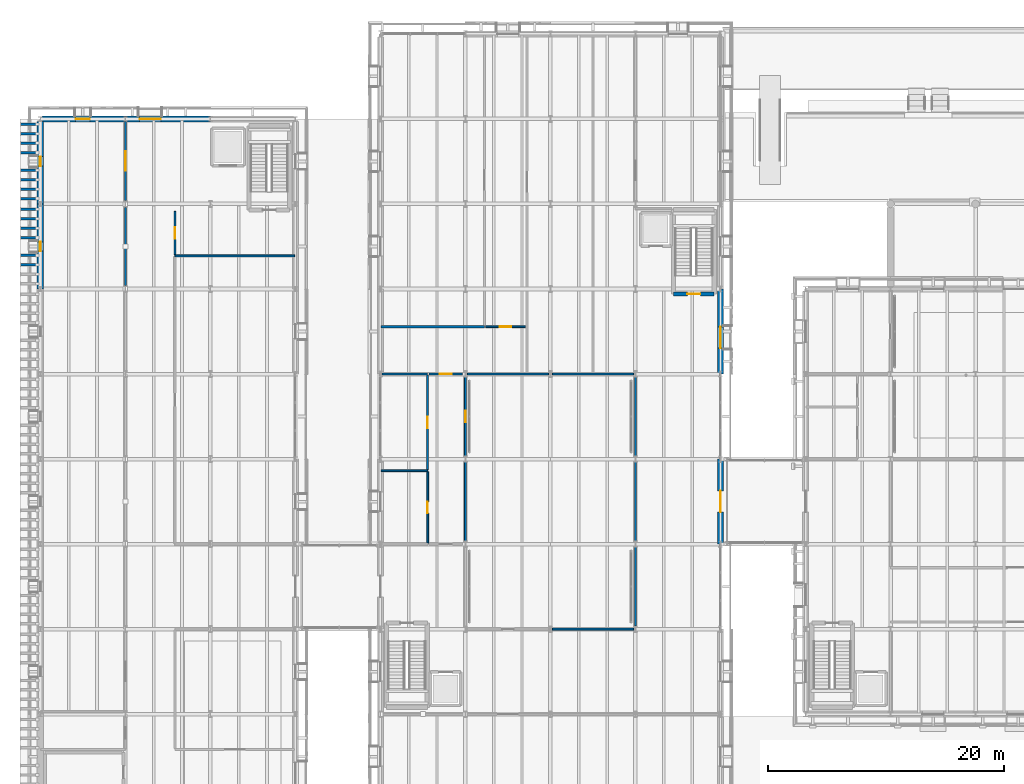
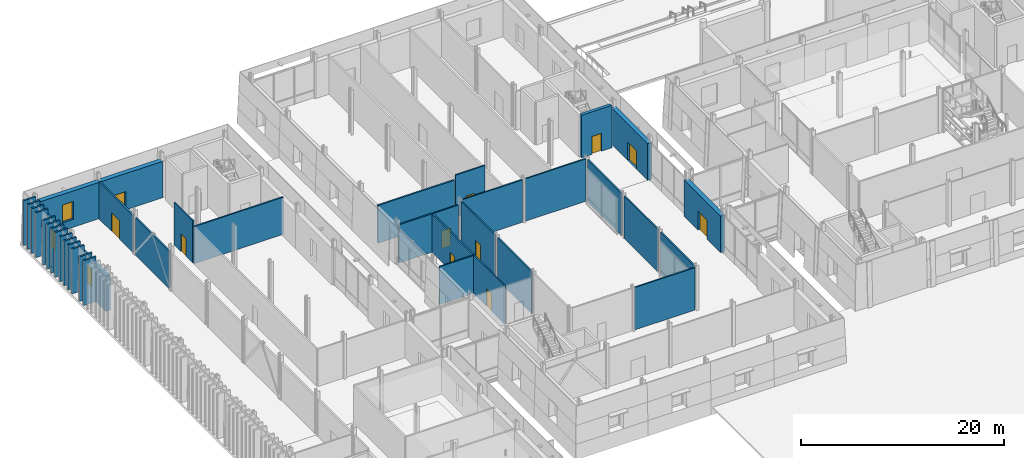
# One storey, part 74 of 120: 40 walls, 11 doors, 3 windows, 14 openings.
"""IFC4 building model written with IfcOpenShell, lengths in metres."""

from ifc_helpers import new_model, si_unit, direction, frame, frame_2d, origin, place, context, subcontext, project, spatial, rectangle, extrude, material, layer, layer_set, type_object, element, fill, save


model = new_model("IFC4")

# Units and contexts
model_context = context("Model", 3, precision=1e-05, world=origin(), true_north=direction((0.0, 1.0)))
body_context = subcontext(model_context, "Body", "Model", "MODEL_VIEW")
ifc_project = project(units=[si_unit("LENGTHUNIT", "METRE"), si_unit("AREAUNIT", "SQUARE_METRE"), si_unit("VOLUMEUNIT", "CUBIC_METRE"), si_unit("PLANEANGLEUNIT", "RADIAN"), si_unit("MASSUNIT", "GRAM", prefix="KILO")], contexts=[model_context])

# Site, building, storey
site_placement = place(None, origin())
site = spatial("IfcSite", under=ifc_project, at=site_placement, CompositionType="ELEMENT")
building_placement = place(site_placement, origin())
building = spatial("IfcBuilding", under=site, at=building_placement, Name="Narikvali Park Central Library", CompositionType="ELEMENT")
storey_placement = place(building_placement, origin())
storey = spatial("IfcBuildingStorey", under=building, at=storey_placement, Name="L00", CompositionType="ELEMENT", Elevation=0.0)

# Walls
ifc_material_1 = material(Name="Kiln-Fired Terracotta Red Brick Masonry", Category="masonry")
ifc_layer_1 = layer(ifc_material_1, 0.199951171875, Name="Kiln-Fired Terracotta Red Brick Masonry")
ifc_layer_set_1 = layer_set([ifc_layer_1], Name="Kiln-Fired Terracotta Red Brick Masonry")
wall_type_1 = type_object("IfcWallType", Name="Kiln-Fired Red Brick Vertical Fin Wall 200", PredefinedType="SOLIDWALL", material=ifc_layer_set_1)
for number, where, z_axis, x_axis, name in (
    (1, (-1.659912109375, 95.64990234375, 0.0), (0.0, 0.0, 1.0), (1.0, 0.0, 0.0), "West Stacks Red Brick Vertical Fin Pier 421"),
    (2, (-1.659912109375, 96.449951171875, 0.0), (0.0, 0.0, 1.0), (1.0, 0.0, 0.0), "West Stacks Red Brick Vertical Fin Pier 427"),
    (3, (-1.659912109375, 97.949951171875, 0.0), (0.0, 0.0, 1.0), (1.0, 0.0, 0.0), "West Stacks Red Brick Vertical Fin Pier 433"),
    (4, (-1.659912109375, 98.75, 0.0), (0.0, 0.0, 1.0), (1.0, 0.0, 0.0), "West Stacks Red Brick Vertical Fin Pier 439"),
    (5, (-1.659912109375, 99.550048828125, 0.0), (0.0, 0.0, 1.0), (1.0, 0.0, 0.0), "West Stacks Red Brick Vertical Fin Pier 445"),
    (6, (-1.659912109375, 100.35009765625, 0.0), (0.0, 0.0, 1.0), (1.0, 0.0, 0.0), "West Stacks Red Brick Vertical Fin Pier 451"),
    (7, (-1.659912109375, 101.25, 0.0), (0.0, 0.0, 1.0), (1.0, 0.0, 0.0), "West Stacks Red Brick Vertical Fin Pier 457"),
    (8, (-1.659912109375, 102.050048828125, 0.0), (0.0, 0.0, 1.0), (1.0, 0.0, 0.0), "West Stacks Red Brick Vertical Fin Pier 463"),
    (9, (-1.659912109375, 102.85009765625, 0.0), (0.0, 0.0, 1.0), (1.0, 0.0, 0.0), "West Stacks Red Brick Vertical Fin Pier 469"),
    (10, (-1.659912109375, 103.64990234375, 0.0), (0.0, 0.0, 1.0), (1.0, 0.0, 0.0), "West Stacks Red Brick Vertical Fin Pier 475"),
    (11, (-1.659912109375, 105.14990234375, 0.0), (0.0, 0.0, 1.0), (1.0, 0.0, 0.0), "West Stacks Red Brick Vertical Fin Pier 481"),
    (12, (-1.659912109375, 105.949951171875, 0.0), (0.0, 0.0, 1.0), (1.0, 0.0, 0.0), "West Stacks Red Brick Vertical Fin Pier 487"),
    (13, (-1.659912109375, 106.75, 0.0), (0.0, 0.0, 1.0), (1.0, 0.0, 0.0), "West Stacks Red Brick Vertical Fin Pier 493"),
    (14, (-1.659912109375, 107.550048828125, 0.0), (0.0, 0.0, 1.0), (1.0, 0.0, 0.0), "West Stacks Red Brick Vertical Fin Pier 499"),
):
    element("IfcWall", number, at=place(storey_placement, frame(where, z_axis=z_axis, x_axis=x_axis)), inside=storey, type_object=wall_type_1, Name=name, PredefinedType="SOLIDWALL", context=body_context, shape_type="SweptSolid", body=[
        extrude(rectangle(XDim=1.43994140625, YDim=0.199951171875, at=frame_2d((0.719970703125, 0.0))), origin(), (0.0, 0.0, 1.0), 5.39990234375),
    ])
ifc_material_2 = material(Name="Moisture-Resistant Cement Board on Steel Studs", Category="steel")
ifc_layer_2 = layer(ifc_material_2, 0.14990234375, Name="Moisture-Resistant Cement Board on Steel Studs")
ifc_layer_set_2 = layer_set([ifc_layer_2], Name="Moisture-Resistant Cement Board on Steel Studs")
wall_type_2 = type_object("IfcWallType", Name="Moisture-Resistant WC Partition 150", PredefinedType="PARTITIONING", material=ifc_layer_set_2)
wall_1_placement = place(storey_placement, frame((28.85498046875, 78.199951171875, 0.0), z_axis=(0.0, 0.0, 1.0), x_axis=(1.0, 0.0, 0.0)))
element("IfcWall", 15, at=wall_1_placement, inside=storey, type_object=wall_type_2, Name="Atrium Accessible WC and Restrooms L00 Partition N", PredefinedType="PARTITIONING", context=body_context, shape_type="SweptSolid", body=[
    extrude(rectangle(XDim=3.945068359375, YDim=0.14990234375, at=frame_2d((1.97265625, 0.0))), origin(), (0.0, 0.0, 1.0), 4.554931640625),
])

# Wall, opening, door
wall_2_placement = place(storey_placement, frame((32.800048828125, 72.076904296875, 0.0), z_axis=(0.0, 0.0, 1.0), x_axis=(0.0, 1.0, 0.0)))
wall_2 = element("IfcWall", 16, at=wall_2_placement, inside=storey, type_object=wall_type_2, Name="Atrium Accessible WC and Restrooms L00 Partition E", PredefinedType="PARTITIONING", context=body_context, shape_type="SweptSolid", body=[
    extrude(rectangle(XDim=6.046142578125, YDim=0.14990234375, at=frame_2d((3.02294921875, 0.0))), origin(), (0.0, 0.0, 1.0), 4.614990234375),
])
opening_1_placement = place(wall_2_placement, frame((2.532958984375, 0.0, 0.0)))
opening_1 = element("IfcOpeningElement", 17, at=opening_1_placement, cuts=wall_2, Name="Opening ID-0012", PredefinedType="OPENING", context=body_context, shape_type="SweptSolid", body=[
    extrude(rectangle(XDim=0.97998046875, YDim=2.10009765625, at=frame_2d((0.489990234375, 1.050048828125))), frame((0.0, 0.0869140625, 0.0), z_axis=(0.0, -1.0, 0.0), x_axis=(1.0, 0.0, 0.0)), (0.0, 0.0, 1.0), 0.173828125),
])
ifc_material_3 = material(Name="Laminate Faced Hardwood Core", Category="wood")
door_type_1 = type_object("IfcDoorType", Name="Accessible WC Outward-Opening Door 980x2100", OperationType="SINGLE_SWING_RIGHT", PredefinedType="DOOR", material=ifc_material_3)
door_1_placement = place(opening_1_placement, frame((0.97998046875, 0.0, 0.0), z_axis=(0.0, 0.0, 1.0), x_axis=(-1.0, 0.0, 0.0)))
door_1 = element("IfcDoor", 18, at=door_1_placement, inside=storey, type_object=door_type_1, Name="Atrium Accessible WC and Restrooms L00 Door ID-0012", OperationType="SINGLE_SWING_RIGHT", OverallHeight=2.10009765625, OverallWidth=0.97998046875, PredefinedType="DOOR", context=body_context, shape_type="SweptSolid", body=[
    extrude(rectangle(XDim=0.97998046875, YDim=2.10009765625, at=frame_2d((0.489990234375, 1.050048828125))), frame((0.0, 0.02490234375, 0.0), z_axis=(0.0, -1.0, 0.0), x_axis=(1.0, 0.0, 0.0)), (0.0, 0.0, 1.0), 0.050048828125),
])
fill(opening_1, door_1)

wall_3_placement = place(storey_placement, frame((11.39990234375, 96.52001953125, 0.0), z_axis=(0.0, 0.0, 1.0), x_axis=(0.0, 1.0, 0.0)))
wall_3 = element("IfcWall", 19, at=wall_3_placement, inside=storey, type_object=wall_type_2, Name="V5 North Exit Corridor Smoke Door Partition", PredefinedType="PARTITIONING", context=body_context, shape_type="SweptSolid", body=[
    extrude(rectangle(XDim=3.659912109375, YDim=0.14990234375, at=frame_2d((1.830078125, 0.0))), origin(), (0.0, 0.0, 1.0), 5.0849609375),
])
opening_2_placement = place(wall_3_placement, frame((1.330078125, 0.0, 0.0)))
opening_2 = element("IfcOpeningElement", 20, at=opening_2_placement, cuts=wall_3, Name="Opening ID-0170", PredefinedType="OPENING", context=body_context, shape_type="SweptSolid", body=[
    extrude(rectangle(XDim=1.0, YDim=2.14990234375, at=frame_2d((0.5, 1.074951171875))), frame((0.0, 0.0869140625, 0.0), z_axis=(0.0, -1.0, 0.0), x_axis=(1.0, 0.0, 0.0)), (0.0, 0.0, 1.0), 0.173828125),
])
ifc_material_4 = material(Name="Solid Caucasian Oak")
door_type_2 = type_object("IfcDoorType", Name="Study Room Single Oak Door 1000x2150", OperationType="SINGLE_SWING_LEFT", PredefinedType="DOOR", material=ifc_material_4)
door_2_placement = place(opening_2_placement, frame((1.0, 0.0, 0.0), z_axis=(0.0, 0.0, 1.0), x_axis=(-1.0, 0.0, 0.0)))
door_2 = element("IfcDoor", 21, at=door_2_placement, inside=storey, type_object=door_type_2, Name="V5 North Exit Corridor Smoke Door ID-0170", OperationType="SINGLE_SWING_LEFT", OverallHeight=2.14990234375, OverallWidth=1.0, PredefinedType="DOOR", context=body_context, shape_type="SweptSolid", body=[
    extrude(rectangle(XDim=1.0, YDim=2.14990234375, at=frame_2d((0.5, 1.074951171875))), frame((0.0, 0.02490234375, 0.0), z_axis=(0.0, -1.0, 0.0), x_axis=(1.0, 0.0, 0.0)), (0.0, 0.0, 1.0), 0.050048828125),
])
fill(opening_2, door_2)

wall_4_placement = place(storey_placement, frame((32.919921875, 86.39990234375, 0.0), z_axis=(0.0, 0.0, 1.0), x_axis=(1.0, 0.0, 0.0)))
wall_4 = element("IfcWall", 22, at=wall_4_placement, inside=storey, type_object=wall_type_2, Name="V4 Northwest Vestibule Smoke Door Partition", PredefinedType="PARTITIONING", context=body_context, shape_type="SweptSolid", body=[
    extrude(rectangle(XDim=2.830078125, YDim=0.14990234375, at=frame_2d((1.4150390625, 0.0))), origin(), (0.0, 0.0, 1.0), 4.614990234375),
])
opening_3_placement = place(wall_4_placement, frame((0.9150390625, 0.0, 0.0)))
opening_3 = element("IfcOpeningElement", 23, at=opening_3_placement, cuts=wall_4, Name="Opening ID-0172", PredefinedType="OPENING", context=body_context, shape_type="SweptSolid", body=[
    extrude(rectangle(XDim=1.0, YDim=2.14990234375, at=frame_2d((0.5, 1.074951171875))), frame((0.0, 0.0869140625, 0.0), z_axis=(0.0, -1.0, 0.0), x_axis=(1.0, 0.0, 0.0)), (0.0, 0.0, 1.0), 0.173828125),
])
door_3_placement = place(opening_3_placement, frame((1.0, 0.0, 0.0), z_axis=(0.0, 0.0, 1.0), x_axis=(-1.0, 0.0, 0.0)))
door_3 = element("IfcDoor", 24, at=door_3_placement, inside=storey, type_object=door_type_2, Name="V4 Northwest Vestibule Smoke Door ID-0172", OperationType="SINGLE_SWING_LEFT", OverallHeight=2.14990234375, OverallWidth=1.0, PredefinedType="DOOR", context=body_context, shape_type="SweptSolid", body=[
    extrude(rectangle(XDim=1.0, YDim=2.14990234375, at=frame_2d((0.5, 1.074951171875))), frame((0.0, 0.02490234375, 0.0), z_axis=(0.0, -1.0, 0.0), x_axis=(1.0, 0.0, 0.0)), (0.0, 0.0, 1.0), 0.050048828125),
])
fill(opening_3, door_3)

wall_5_placement = place(storey_placement, frame((37.719970703125, 90.39990234375, 0.0), z_axis=(0.0, 0.0, 1.0), x_axis=(1.0, 0.0, 0.0)))
wall_5 = element("IfcWall", 25, at=wall_5_placement, inside=storey, type_object=wall_type_2, Name="V4 North Exit Passage Smoke Door Partition", PredefinedType="PARTITIONING", context=body_context, shape_type="SweptSolid", body=[
    extrude(rectangle(XDim=3.360107421875, YDim=0.14990234375, at=frame_2d((1.68017578125, 0.0))), origin(), (0.0, 0.0, 1.0), 5.10498046875),
])
opening_4_placement = place(wall_5_placement, frame((1.179931640625, 0.0, 0.0)))
opening_4 = element("IfcOpeningElement", 26, at=opening_4_placement, cuts=wall_5, Name="Opening ID-0173", PredefinedType="OPENING", context=body_context, shape_type="SweptSolid", body=[
    extrude(rectangle(XDim=1.0, YDim=2.14990234375, at=frame_2d((0.5, 1.074951171875))), frame((0.0, 0.0869140625, 0.0), z_axis=(0.0, -1.0, 0.0), x_axis=(1.0, 0.0, 0.0)), (0.0, 0.0, 1.0), 0.173828125),
])
door_4_placement = place(opening_4_placement, frame((1.0, 0.0, 0.0), z_axis=(0.0, 0.0, 1.0), x_axis=(-1.0, 0.0, 0.0)))
door_4 = element("IfcDoor", 27, at=door_4_placement, inside=storey, type_object=door_type_2, Name="V4 North Exit Passage Smoke Door ID-0173", OperationType="SINGLE_SWING_LEFT", OverallHeight=2.14990234375, OverallWidth=1.0, PredefinedType="DOOR", context=body_context, shape_type="SweptSolid", body=[
    extrude(rectangle(XDim=1.0, YDim=2.14990234375, at=frame_2d((0.5, 1.074951171875))), frame((0.0, 0.02490234375, 0.0), z_axis=(0.0, -1.0, 0.0), x_axis=(1.0, 0.0, 0.0)), (0.0, 0.0, 1.0), 0.050048828125),
])
fill(opening_4, door_4)

# Walls
ifc_material_5 = material(Name="Acoustic Gypsum on Steel Studs", Category="steel")
ifc_layer_3 = layer(ifc_material_5, 0.179931640625, Name="Acoustic Gypsum on Steel Studs")
ifc_layer_set_3 = layer_set([ifc_layer_3], Name="Acoustic Gypsum on Steel Studs")
wall_type_3 = type_object("IfcWallType", Name="Reading Room Acoustic Partition 180", PredefinedType="PARTITIONING", material=ifc_layer_set_3)
wall_6_placement = place(storey_placement, frame((28.85498046875, 90.39990234375, 0.0), z_axis=(0.0, 0.0, 1.0), x_axis=(1.0, 0.0, 0.0)))
element("IfcWall", 28, at=wall_6_placement, inside=storey, type_object=wall_type_3, Name="Social Sciences West Open Stacks Partition S", PredefinedType="PARTITIONING", context=body_context, shape_type="SweptSolid", body=[
    extrude(rectangle(XDim=8.7451171875, YDim=0.179931640625, at=frame_2d((4.37255859375, 0.0))), origin(), (0.0, 0.0, 1.0), 4.554931640625),
])
wall_7_placement = place(storey_placement, frame((28.9541015625, 86.39990234375, 0.0), z_axis=(0.0, 0.0, 1.0), x_axis=(1.0, 0.0, 0.0)))
element("IfcWall", 29, at=wall_7_placement, inside=storey, type_object=wall_type_3, Name="Librarians Reference Office Partition N", PredefinedType="PARTITIONING", context=body_context, shape_type="SweptSolid", body=[
    extrude(rectangle(XDim=3.845947265625, YDim=0.179931640625, at=frame_2d((1.9228515625, 0.0))), origin(), (0.0, 0.0, 1.0), 4.614990234375),
])

# Wall, opening, door
wall_8_placement = place(storey_placement, frame((32.800048828125, 78.277099609375, 0.0), z_axis=(0.0, 0.0, 1.0), x_axis=(0.0, 1.0, 0.0)))
wall_8 = element("IfcWall", 30, at=wall_8_placement, inside=storey, type_object=wall_type_3, Name="Librarians Reference Office Partition E", PredefinedType="PARTITIONING", context=body_context, shape_type="SweptSolid", body=[
    extrude(rectangle(XDim=8.031005859375, YDim=0.179931640625, at=frame_2d((4.015625, 0.0))), origin(), (0.0, 0.0, 1.0), 4.614990234375),
])
opening_5_placement = place(wall_8_placement, frame((3.54052734375, 0.0, 0.0)))
opening_5 = element("IfcOpeningElement", 31, at=opening_5_placement, cuts=wall_8, Name="Opening ID-0088", PredefinedType="OPENING", context=body_context, shape_type="SweptSolid", body=[
    extrude(rectangle(XDim=0.949951171875, YDim=2.14990234375, at=frame_2d((0.47509765625, 1.074951171875))), frame((0.0, 0.10205078125, 0.0), z_axis=(0.0, -1.0, 0.0), x_axis=(1.0, 0.0, 0.0)), (0.0, 0.0, 1.0), 0.203857421875),
])
door_type_3 = type_object("IfcDoorType", Name="Staff Cataloguing Office Door 950x2150", OperationType="SINGLE_SWING_LEFT", PredefinedType="DOOR", material=ifc_material_4)
door_5_placement = place(opening_5_placement, origin())
door_5 = element("IfcDoor", 32, at=door_5_placement, inside=storey, type_object=door_type_3, Name="Librarians Reference Office Door ID-0088", OperationType="SINGLE_SWING_RIGHT", OverallHeight=2.14990234375, OverallWidth=0.949951171875, PredefinedType="DOOR", context=body_context, shape_type="SweptSolid", body=[
    extrude(rectangle(XDim=0.949951171875, YDim=2.14990234375, at=frame_2d((0.47509765625, 1.074951171875))), frame((0.0, 0.02490234375, 0.0), z_axis=(0.0, -1.0, 0.0), x_axis=(1.0, 0.0, 0.0)), (0.0, 0.0, 1.0), 0.050048828125),
])
fill(opening_5, door_5)

# Wall
wall_9_placement = place(storey_placement, frame((7.199951171875, 93.889892578125, 0.0), z_axis=(0.0, 0.0, 1.0), x_axis=(0.0, 1.0, 0.0)))
element("IfcWall", 33, at=wall_9_placement, inside=storey, type_object=wall_type_3, Name="Caucasus History Open Stacks L00 Partition E", PredefinedType="PARTITIONING", context=body_context, shape_type="SweptSolid", body=[
    extrude(rectangle(XDim=6.6201171875, YDim=0.179931640625, at=frame_2d((3.31005859375, 0.0))), origin(), (0.0, 0.0, 1.0), 4.4951171875),
])

# Wall, opening, door
wall_10_placement = place(storey_placement, frame((7.199951171875, 101.090087890625, 0.0), z_axis=(0.0, 0.0, 1.0), x_axis=(0.0, 1.0, 0.0)))
wall_10 = element("IfcWall", 34, at=wall_10_placement, inside=storey, type_object=wall_type_3, Name="Caucasus History Open Stacks L00 Partition E", PredefinedType="PARTITIONING", context=body_context, shape_type="SweptSolid", body=[
    extrude(rectangle(XDim=6.70849609375, YDim=0.179931640625, at=frame_2d((3.354248046875, 0.0))), origin(), (0.0, 0.0, 1.0), 4.4951171875),
])
opening_6_placement = place(wall_10_placement, frame((2.529296875, 0.0, 0.0)))
opening_6 = element("IfcOpeningElement", 35, at=opening_6_placement, cuts=wall_10, Name="Opening ID-0115", PredefinedType="OPENING", context=body_context, shape_type="SweptSolid", body=[
    extrude(rectangle(XDim=1.64990234375, YDim=2.25, at=frame_2d((0.824951171875, 1.125))), frame((0.0, 0.10205078125, 0.0), z_axis=(0.0, -1.0, 0.0), x_axis=(1.0, 0.0, 0.0)), (0.0, 0.0, 1.0), 0.203857421875),
])
ifc_material_6 = material(Name="Caucasian Oak and Tempered Glass", Category="glass")
door_type_4 = type_object("IfcDoorType", Name="Open Stacks Double Glazed Door 1650x2250", OperationType="DOUBLE_DOOR_SINGLE_SWING", PredefinedType="DOOR", material=ifc_material_6)
door_6_placement = place(opening_6_placement, origin())
door_6 = element("IfcDoor", 36, at=door_6_placement, inside=storey, type_object=door_type_4, Name="Caucasus History Open Stacks L00 Door ID-0115", OperationType="DOUBLE_DOOR_SINGLE_SWING", OverallHeight=2.25, OverallWidth=1.64990234375, PredefinedType="DOOR", context=body_context, shape_type="SweptSolid", body=[
    extrude(rectangle(XDim=1.64990234375, YDim=2.25, at=frame_2d((0.824951171875, 1.125))), frame((0.0, 0.02490234375, 0.0), z_axis=(0.0, -1.0, 0.0), x_axis=(1.0, 0.0, 0.0)), (0.0, 0.0, 1.0), 0.050048828125),
])
fill(opening_6, door_6)

ifc_material_7 = material(Name="Concrete C40/50", Category="concrete")
ifc_layer_4 = layer(ifc_material_7, 0.35009765625, Name="Concrete C40/50")
ifc_layer_set_4 = layer_set([ifc_layer_4], Name="Concrete C40/50")
wall_type_4 = type_object("IfcWallType", Name="Reinforced Concrete Core Shear Wall 350", PredefinedType="SHEAR", material=ifc_layer_set_4)
wall_11_placement = place(storey_placement, frame((53.6298828125, 93.179931640625, 0.0), z_axis=(0.0, 0.0, 1.0), x_axis=(1.0, 0.0, 0.0)))
wall_11 = element("IfcWall", 37, at=wall_11_placement, inside=storey, type_object=wall_type_4, Name="C4B L00 Stair Core Shear Wall S", PredefinedType="SHEAR", context=body_context, shape_type="SweptSolid", body=[
    extrude(rectangle(XDim=3.440185546875, YDim=0.35009765625, at=frame_2d((1.72021484375, 0.0))), origin(), (0.0, 0.0, 1.0), 5.1201171875),
])
opening_7_placement = place(wall_11_placement, frame((1.169921875, 0.0, 0.0)))
opening_7 = element("IfcOpeningElement", 38, at=opening_7_placement, cuts=wall_11, Name="Opening SD-031", PredefinedType="OPENING", context=body_context, shape_type="SweptSolid", body=[
    extrude(rectangle(XDim=1.10009765625, YDim=2.14990234375, at=frame_2d((0.550048828125, 1.074951171875))), frame((0.0, 0.18701171875, 0.0), z_axis=(0.0, -1.0, 0.0), x_axis=(1.0, 0.0, 0.0)), (0.0, 0.0, 1.0), 0.3740234375),
])
ifc_material_8 = material(Name="Powder-Coated Steel S275 Fire Leaf", Category="steel")
door_type_5 = type_object("IfcDoorType", Name="Stair Core Smoke-Control Fire Door 1100x2150", OperationType="SINGLE_SWING_LEFT", PredefinedType="DOOR", material=ifc_material_8)
door_7_placement = place(opening_7_placement, frame((1.10009765625, 0.0, 0.0), z_axis=(0.0, 0.0, 1.0), x_axis=(-1.0, 0.0, 0.0)))
door_7 = element("IfcDoor", 39, at=door_7_placement, inside=storey, type_object=door_type_5, Name="ST-08 L00 Stair Exit Door SD-031", OperationType="SINGLE_SWING_LEFT", OverallHeight=2.14990234375, OverallWidth=1.10009765625, PredefinedType="DOOR", context=body_context, shape_type="SweptSolid", body=[
    extrude(rectangle(XDim=1.10009765625, YDim=2.14990234375, at=frame_2d((0.550048828125, 1.074951171875))), frame((0.0, 0.02490234375, 0.0), z_axis=(0.0, -1.0, 0.0), x_axis=(1.0, 0.0, 0.0)), (0.0, 0.0, 1.0), 0.050048828125),
])
fill(opening_7, door_7)

# Walls
ifc_material_9 = material(Name="Gypsum Board on Galvanised Steel Studs", Category="steel")
ifc_layer_5 = layer(ifc_material_9, 0.159912109375, Name="Gypsum Board on Galvanised Steel Studs")
ifc_layer_set_5 = layer_set([ifc_layer_5], Name="Gypsum Board on Galvanised Steel Studs")
wall_type_5 = type_object("IfcWallType", Name="Study Room Partition Wall 160", PredefinedType="PARTITIONING", material=ifc_layer_set_5)
for number, where, z_axis, x_axis, name in (
    (40, (43.35693359375, 64.800048828125, 0.0), (0.0, 0.0, 1.0), (1.0, 0.0, 0.0), "Central Reading Atrium Partition S"),
    (41, (36.156982421875, 86.39990234375, 0.0), (0.0, 0.0, 1.0), (1.0, 0.0, 0.0), "Central Reading Atrium Partition N"),
    (42, (43.35693359375, 86.39990234375, 0.0), (0.0, 0.0, 1.0), (1.0, 0.0, 0.0), "Central Reading Atrium Partition N"),
):
    element("IfcWall", number, at=place(storey_placement, frame(where, z_axis=z_axis, x_axis=x_axis)), inside=storey, type_object=wall_type_5, Name=name, PredefinedType="PARTITIONING", context=body_context, shape_type="SweptSolid", body=[
        extrude(rectangle(XDim=6.885986328125, YDim=0.159912109375, at=frame_2d((3.44287109375, 0.0))), origin(), (0.0, 0.0, 1.0), 5.10498046875),
    ])
wall_12_placement = place(storey_placement, frame((11.39990234375, 96.39990234375, 0.0), z_axis=(0.0, 0.0, 1.0), x_axis=(1.0, 0.0, 0.0)))
element("IfcWall", 43, at=wall_12_placement, inside=storey, type_object=wall_type_5, Name="Quiet Study Carrels L00 Partition N", PredefinedType="PARTITIONING", context=body_context, shape_type="SweptSolid", body=[
    extrude(rectangle(XDim=10.14501953125, YDim=0.159912109375, at=frame_2d((5.072509765625, 0.0))), origin(), (0.0, 0.0, 1.0), 4.485107421875),
])
wall_13_placement = place(storey_placement, frame((36.0, 72.26611328125, 0.0), z_axis=(0.0, 0.0, 1.0), x_axis=(0.0, 1.0, 0.0)))
element("IfcWall", 44, at=wall_13_placement, inside=storey, type_object=wall_type_5, Name="Central Reading Atrium Partition W", PredefinedType="PARTITIONING", context=body_context, shape_type="SweptSolid", body=[
    extrude(rectangle(XDim=6.66796875, YDim=0.159912109375, at=frame_2d((3.333984375, 0.0))), origin(), (0.0, 0.0, 1.0), 5.10498046875),
])

# Wall, opening, door
wall_14_placement = place(storey_placement, frame((36.0, 79.466064453125, 0.0), z_axis=(0.0, 0.0, 1.0), x_axis=(0.0, 1.0, 0.0)))
wall_14 = element("IfcWall", 45, at=wall_14_placement, inside=storey, type_object=wall_type_5, Name="Central Reading Atrium Partition W", PredefinedType="PARTITIONING", context=body_context, shape_type="SweptSolid", body=[
    extrude(rectangle(XDim=6.66796875, YDim=0.159912109375, at=frame_2d((3.333984375, 0.0))), origin(), (0.0, 0.0, 1.0), 5.10498046875),
])
opening_8_placement = place(wall_14_placement, frame((2.833984375, 0.0, 0.0)))
opening_8 = element("IfcOpeningElement", 46, at=opening_8_placement, cuts=wall_14, Name="Opening ID-0083", PredefinedType="OPENING", context=body_context, shape_type="SweptSolid", body=[
    extrude(rectangle(XDim=1.0, YDim=2.14990234375, at=frame_2d((0.5, 1.074951171875))), frame((0.0, 0.091796875, 0.0), z_axis=(0.0, -1.0, 0.0), x_axis=(1.0, 0.0, 0.0)), (0.0, 0.0, 1.0), 0.183837890625),
])
door_8_placement = place(opening_8_placement, frame((1.0, 0.0, 0.0), z_axis=(0.0, 0.0, 1.0), x_axis=(-1.0, 0.0, 0.0)))
door_8 = element("IfcDoor", 47, at=door_8_placement, inside=storey, type_object=door_type_2, Name="Central Reading Atrium Door ID-0083", OperationType="SINGLE_SWING_LEFT", OverallHeight=2.14990234375, OverallWidth=1.0, PredefinedType="DOOR", context=body_context, shape_type="SweptSolid", body=[
    extrude(rectangle(XDim=1.0, YDim=2.14990234375, at=frame_2d((0.5, 1.074951171875))), frame((0.0, 0.02490234375, 0.0), z_axis=(0.0, -1.0, 0.0), x_axis=(1.0, 0.0, 0.0)), (0.0, 0.0, 1.0), 0.050048828125),
])
fill(opening_8, door_8)

# Walls
for number, where, z_axis, x_axis, name in (
    (48, (50.39990234375, 65.06591796875, 0.0), (0.0, 0.0, 1.0), (0.0, 1.0, 0.0), "Central Reading Atrium Partition E"),
    (49, (50.39990234375, 72.26611328125, 0.0), (0.0, 0.0, 1.0), (0.0, 1.0, 0.0), "Central Reading Atrium Partition E"),
    (50, (50.39990234375, 79.466064453125, 0.0), (0.0, 0.0, 1.0), (0.0, 1.0, 0.0), "Central Reading Atrium Partition E"),
):
    element("IfcWall", number, at=place(storey_placement, frame(where, z_axis=z_axis, x_axis=x_axis)), inside=storey, type_object=wall_type_5, Name=name, PredefinedType="PARTITIONING", context=body_context, shape_type="SweptSolid", body=[
        extrude(rectangle(XDim=6.66796875, YDim=0.159912109375, at=frame_2d((3.333984375, 0.0))), origin(), (0.0, 0.0, 1.0), 5.10498046875),
    ])

# Wall, opening, door
ifc_material_10 = material(Name="White Rusticated Limestone over Concrete C35/45", Category="masonry")
ifc_layer_6 = layer(ifc_material_10, 0.52001953125, Name="White Rusticated Limestone over Concrete C35/45")
ifc_layer_set_6 = layer_set([ifc_layer_6], Name="White Rusticated Limestone over Concrete C35/45")
wall_type_6 = type_object("IfcWallType", Name="White Limestone Ashlar Plinth Wall 520", PredefinedType="SOLIDWALL", material=ifc_layer_set_6)
wall_15_placement = place(storey_placement, frame((57.60009765625, 72.0, 0.0), z_axis=(0.0, 0.0, 1.0), x_axis=(0.0, 1.0, 0.0)))
wall_15 = element("IfcWall", 51, at=wall_15_placement, inside=storey, type_object=wall_type_6, Name="V4 L00 E Exterior Limestone Wall B04", PredefinedType="SOLIDWALL", context=body_context, shape_type="SweptSolid", body=[
    extrude(rectangle(XDim=7.199951171875, YDim=0.52001953125, at=frame_2d((3.60009765625, 0.0))), origin(), (0.0, 0.0, 1.0), 4.39990234375),
])
opening_9_placement = place(wall_15_placement, frame((2.699951171875, 0.0, 0.0)))
opening_9 = element("IfcOpeningElement", 52, at=opening_9_placement, cuts=wall_15, Name="Opening BD-028", PredefinedType="OPENING", context=body_context, shape_type="SweptSolid", body=[
    extrude(rectangle(XDim=1.800048828125, YDim=2.300048828125, at=frame_2d((0.89990234375, 1.14990234375))), frame((0.0, 0.27197265625, 0.0), z_axis=(0.0, -1.0, 0.0), x_axis=(1.0, 0.0, 0.0)), (0.0, 0.0, 1.0), 0.5439453125),
])
ifc_material_11 = material(Name="Fire-Rated Glazing in Steel S275 Frame", Category="steel")
door_type_6 = type_object("IfcDoorType", Name="Glazed Double Corridor Bridge Fire Door 1800x2300", OperationType="DOUBLE_DOOR_SINGLE_SWING", PredefinedType="DOOR", material=ifc_material_11)
door_9_placement = place(opening_9_placement, frame((1.800048828125, 0.0, 0.0), z_axis=(0.0, 0.0, 1.0), x_axis=(-1.0, 0.0, 0.0)))
door_9 = element("IfcDoor", 53, at=door_9_placement, inside=storey, type_object=door_type_6, Name="V4 L00 Covered Bridge Fire Door BD-028", OperationType="DOUBLE_DOOR_SINGLE_SWING", OverallHeight=2.300048828125, OverallWidth=1.800048828125, PredefinedType="DOOR", context=body_context, shape_type="SweptSolid", body=[
    extrude(rectangle(XDim=1.800048828125, YDim=2.300048828125, at=frame_2d((0.89990234375, 1.14990234375))), frame((0.0, 0.02490234375, 0.0), z_axis=(0.0, -1.0, 0.0), x_axis=(1.0, 0.0, 0.0)), (0.0, 0.0, 1.0), 0.050048828125),
])
fill(opening_9, door_9)

wall_16_placement = place(storey_placement, frame((57.60009765625, 86.39990234375, 0.0), z_axis=(0.0, 0.0, 1.0), x_axis=(0.0, 1.0, 0.0)))
wall_16 = element("IfcWall", 54, at=wall_16_placement, inside=storey, type_object=wall_type_6, Name="V4 L00 E Exterior Limestone Wall B06", PredefinedType="SOLIDWALL", context=body_context, shape_type="SweptSolid", body=[
    extrude(rectangle(XDim=7.2001953125, YDim=0.52001953125, at=frame_2d((3.60009765625, 0.0))), origin(), (0.0, 0.0, 1.0), 4.39990234375),
])
opening_10_placement = place(wall_16_placement, frame((2.199951171875, 0.0, 0.0)))
opening_10 = element("IfcOpeningElement", 55, at=opening_10_placement, cuts=wall_16, Name="Opening ED-029", PredefinedType="OPENING", context=body_context, shape_type="SweptSolid", body=[
    extrude(rectangle(XDim=1.800048828125, YDim=2.199951171875, at=frame_2d((0.89990234375, 1.10009765625))), frame((0.0, 0.27197265625, 0.0), z_axis=(0.0, -1.0, 0.0), x_axis=(1.0, 0.0, 0.0)), (0.0, 0.0, 1.0), 0.5439453125),
])
ifc_material_12 = material(Name="Powder-Coated Galvanised Steel S275", Category="steel")
door_type_7 = type_object("IfcDoorType", Name="Exterior Final Exit Double Fire Door 1800x2200", OperationType="DOUBLE_DOOR_SINGLE_SWING", PredefinedType="DOOR", material=ifc_material_12)
door_10_placement = place(opening_10_placement, frame((1.800048828125, 0.0, 0.0), z_axis=(0.0, 0.0, 1.0), x_axis=(-1.0, 0.0, 0.0)))
door_10 = element("IfcDoor", 56, at=door_10_placement, inside=storey, type_object=door_type_7, Name="V4 Ground Final Exit Discharge Door ED-029", OperationType="DOUBLE_DOOR_SINGLE_SWING", OverallHeight=2.199951171875, OverallWidth=1.800048828125, PredefinedType="DOOR", context=body_context, shape_type="SweptSolid", body=[
    extrude(rectangle(XDim=1.800048828125, YDim=2.199951171875, at=frame_2d((0.89990234375, 1.10009765625))), frame((0.0, 0.02490234375, 0.0), z_axis=(0.0, -1.0, 0.0), x_axis=(1.0, 0.0, 0.0)), (0.0, 0.0, 1.0), 0.050048828125),
])
fill(opening_10, door_10)

wall_17_placement = place(storey_placement, frame((14.39990234375, 108.0, 0.0), z_axis=(0.0, 0.0, 1.0), x_axis=(-1.0, 0.0, 0.0)))
wall_17 = element("IfcWall", 57, at=wall_17_placement, inside=storey, type_object=wall_type_6, Name="V5 L00 N Exterior Limestone Wall B02", PredefinedType="SOLIDWALL", context=body_context, shape_type="SweptSolid", body=[
    extrude(rectangle(XDim=7.199951171875, YDim=0.52001953125, at=frame_2d((3.60009765625, 0.0))), origin(), (0.0, 0.0, 1.0), 4.3798828125),
])
opening_11_placement = place(wall_17_placement, frame((4.199951171875, 0.0, 0.0)))
opening_11 = element("IfcOpeningElement", 58, at=opening_11_placement, cuts=wall_17, Name="Opening ED-041", PredefinedType="OPENING", context=body_context, shape_type="SweptSolid", body=[
    extrude(rectangle(XDim=1.800048828125, YDim=2.199951171875, at=frame_2d((0.89990234375, 1.10009765625))), frame((0.0, 0.27197265625, 0.0), z_axis=(0.0, -1.0, 0.0), x_axis=(1.0, 0.0, 0.0)), (0.0, 0.0, 1.0), 0.5439453125),
])
door_11_placement = place(opening_11_placement, frame((1.800048828125, 0.0, 0.0), z_axis=(0.0, 0.0, 1.0), x_axis=(-1.0, 0.0, 0.0)))
door_11 = element("IfcDoor", 59, at=door_11_placement, inside=storey, type_object=door_type_7, Name="V5 Ground Final Exit Discharge Door ED-041", OperationType="DOUBLE_DOOR_SINGLE_SWING", OverallHeight=2.199951171875, OverallWidth=1.800048828125, PredefinedType="DOOR", context=body_context, shape_type="SweptSolid", body=[
    extrude(rectangle(XDim=1.800048828125, YDim=2.199951171875, at=frame_2d((0.89990234375, 1.10009765625))), frame((0.0, 0.02490234375, 0.0), z_axis=(0.0, -1.0, 0.0), x_axis=(1.0, 0.0, 0.0)), (0.0, 0.0, 1.0), 0.050048828125),
])
fill(opening_11, door_11)

# Wall, opening, window
wall_18_placement = place(storey_placement, frame((7.199951171875, 108.0, 0.0), z_axis=(0.0, 0.0, 1.0), x_axis=(-1.0, 0.0, 0.0)))
wall_18 = element("IfcWall", 60, at=wall_18_placement, inside=storey, type_object=wall_type_6, Name="V5 L00 N Exterior Limestone Wall B03", PredefinedType="SOLIDWALL", context=body_context, shape_type="SweptSolid", body=[
    extrude(rectangle(XDim=7.0419921875, YDim=0.52001953125, at=frame_2d((3.52099609375, 0.0))), origin(), (0.0, 0.0, 1.0), 4.3798828125),
])
opening_12_placement = place(wall_18_placement, frame((3.0, 0.0, 0.949951171875)))
opening_12 = element("IfcOpeningElement", 61, at=opening_12_placement, cuts=wall_18, Name="Opening WIN-0231", PredefinedType="OPENING", context=body_context, shape_type="SweptSolid", body=[
    extrude(rectangle(XDim=1.199951171875, YDim=2.14990234375, at=frame_2d((0.60009765625, 1.074951171875))), frame((0.0, 0.27197265625, 0.0), z_axis=(0.0, -1.0, 0.0), x_axis=(1.0, 0.0, 0.0)), (0.0, 0.0, 1.0), 0.5439453125),
])
ifc_material_13 = material(Name="Anodised Bronze Aluminium and Low-E Triple Glazing", Category="aluminium")
window_type_1 = type_object("IfcWindowType", Name="Stacks Archive Deep-Reveal Punched Window 1200x2150", PartitioningType="SINGLE_PANEL", PredefinedType="WINDOW", material=ifc_material_13)
window_1_placement = place(opening_12_placement, origin())
window_1 = element("IfcWindow", 62, at=window_1_placement, inside=storey, type_object=window_type_1, Name="V5 L00 N Deep-Reveal Window WIN-0231", OverallHeight=2.14990234375, OverallWidth=1.199951171875, PartitioningType="SINGLE_PANEL", PredefinedType="WINDOW", context=body_context, shape_type="SweptSolid", body=[
    extrude(rectangle(XDim=1.199951171875, YDim=2.14990234375, at=frame_2d((0.60009765625, 1.074951171875))), frame((0.0, 0.030029296875, 0.0), z_axis=(0.0, -1.0, 0.0), x_axis=(1.0, 0.0, 0.0)), (0.0, 0.0, 1.0), 0.06005859375),
])
fill(opening_12, window_1)

wall_19_placement = place(storey_placement, frame((0.0, 107.798583984375, 0.0), z_axis=(0.0, 0.0, 1.0), x_axis=(0.0, -1.0, 0.0)))
wall_19 = element("IfcWall", 63, at=wall_19_placement, inside=storey, type_object=wall_type_6, Name="V5 L00 W Exterior Limestone Wall B01", PredefinedType="SOLIDWALL", context=body_context, shape_type="SweptSolid", body=[
    extrude(rectangle(XDim=6.99853515625, YDim=0.52001953125, at=frame_2d((3.499267578125, 0.0))), origin(), (0.0, 0.0, 1.0), 4.219970703125),
])
opening_13_placement = place(wall_19_placement, frame((2.99853515625, 0.0, 0.949951171875)))
opening_13 = element("IfcOpeningElement", 64, at=opening_13_placement, cuts=wall_19, Name="Opening WIN-0232", PredefinedType="OPENING", context=body_context, shape_type="SweptSolid", body=[
    extrude(rectangle(XDim=0.800048828125, YDim=2.14990234375, at=frame_2d((0.39990234375, 1.074951171875))), frame((0.0, 0.27197265625, 0.0), z_axis=(0.0, -1.0, 0.0), x_axis=(1.0, 0.0, 0.0)), (0.0, 0.0, 1.0), 0.5439453125),
])
window_type_2 = type_object("IfcWindowType", Name="West Fin-Bay Narrow Carrel Slot Window 800x2150", PartitioningType="SINGLE_PANEL", PredefinedType="WINDOW", material=ifc_material_13)
window_2_placement = place(opening_13_placement, origin())
window_2 = element("IfcWindow", 65, at=window_2_placement, inside=storey, type_object=window_type_2, Name="V5 L00 W Deep-Reveal Window WIN-0232", OverallHeight=2.14990234375, OverallWidth=0.800048828125, PartitioningType="SINGLE_PANEL", PredefinedType="WINDOW", context=body_context, shape_type="SweptSolid", body=[
    extrude(rectangle(XDim=0.800048828125, YDim=2.14990234375, at=frame_2d((0.39990234375, 1.074951171875))), frame((0.0, 0.030029296875, 0.0), z_axis=(0.0, -1.0, 0.0), x_axis=(1.0, 0.0, 0.0)), (0.0, 0.0, 1.0), 0.06005859375),
])
fill(opening_13, window_2)

wall_20_placement = place(storey_placement, frame((0.0, 100.800048828125, 0.0), z_axis=(0.0, 0.0, 1.0), x_axis=(0.0, -1.0, 0.0)))
wall_20 = element("IfcWall", 66, at=wall_20_placement, inside=storey, type_object=wall_type_6, Name="V5 L00 W Exterior Limestone Wall B02", PredefinedType="SOLIDWALL", context=body_context, shape_type="SweptSolid", body=[
    extrude(rectangle(XDim=7.199951171875, YDim=0.52001953125, at=frame_2d((3.60009765625, 0.0))), origin(), (0.0, 0.0, 1.0), 4.219970703125),
])
opening_14_placement = place(wall_20_placement, frame((3.199951171875, 0.0, 0.949951171875)))
opening_14 = element("IfcOpeningElement", 67, at=opening_14_placement, cuts=wall_20, Name="Opening WIN-0233", PredefinedType="OPENING", context=body_context, shape_type="SweptSolid", body=[
    extrude(rectangle(XDim=0.800048828125, YDim=2.14990234375, at=frame_2d((0.39990234375, 1.074951171875))), frame((0.0, 0.27197265625, 0.0), z_axis=(0.0, -1.0, 0.0), x_axis=(1.0, 0.0, 0.0)), (0.0, 0.0, 1.0), 0.5439453125),
])
window_3_placement = place(opening_14_placement, origin())
window_3 = element("IfcWindow", 68, at=window_3_placement, inside=storey, type_object=window_type_2, Name="V5 L00 W Deep-Reveal Window WIN-0233", OverallHeight=2.14990234375, OverallWidth=0.800048828125, PartitioningType="SINGLE_PANEL", PredefinedType="WINDOW", context=body_context, shape_type="SweptSolid", body=[
    extrude(rectangle(XDim=0.800048828125, YDim=2.14990234375, at=frame_2d((0.39990234375, 1.074951171875))), frame((0.0, 0.030029296875, 0.0), z_axis=(0.0, -1.0, 0.0), x_axis=(1.0, 0.0, 0.0)), (0.0, 0.0, 1.0), 0.06005859375),
])
fill(opening_14, window_3)

save(model, "model.ifc")
